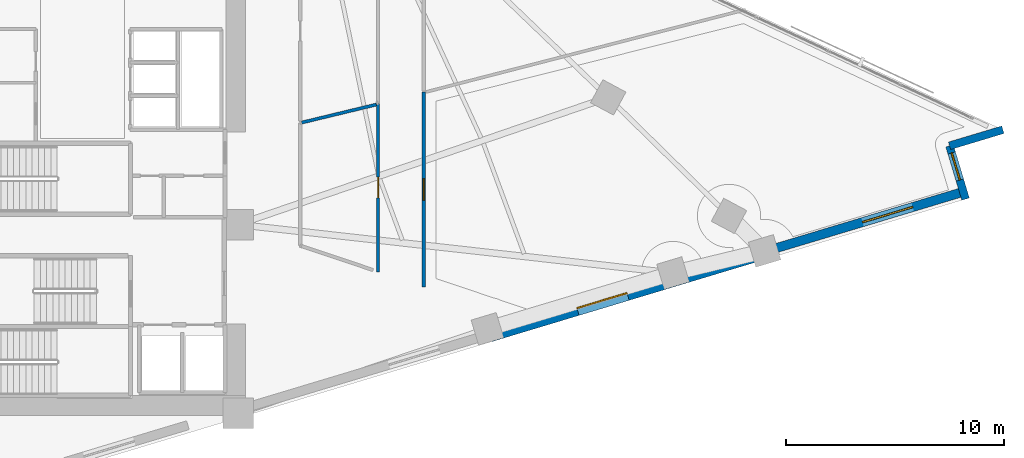
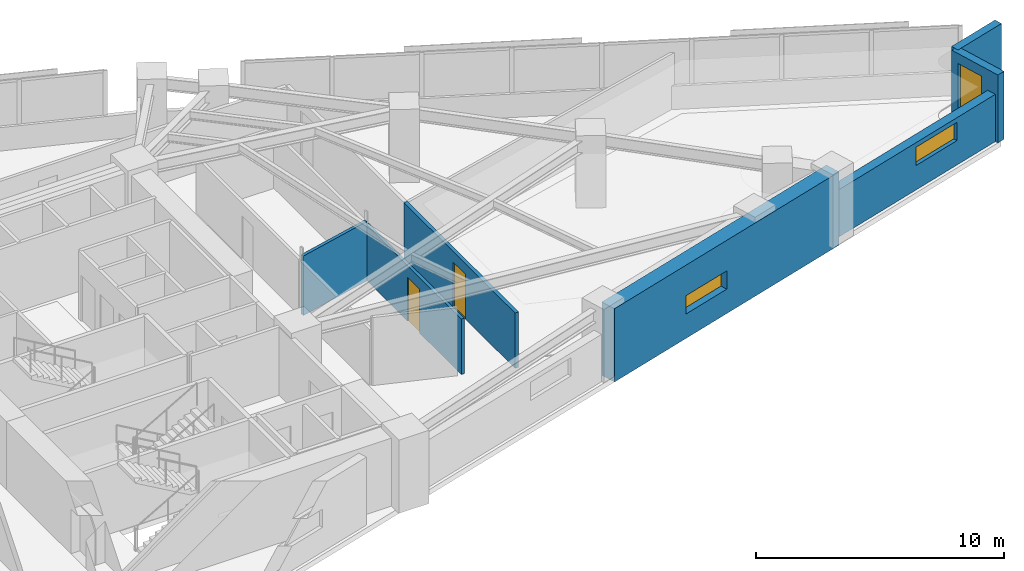
# One storey, part 12 of 16: 7 walls, 3 windows, 2 doors, 5 openings.
"""IFC4 building model written with IfcOpenShell, lengths in metres."""

from ifc_helpers import new_model, si_unit, direction, frame, frame_2d, origin, place, context, subcontext, project, spatial, rectangle, extrude, material, layer, layer_set, type_object, element, fill, save


model = new_model("IFC4")

# Units and contexts
model_context = context("Model", 3, precision=1e-05, world=origin(), true_north=direction((0.0, 1.0)))
body_context = subcontext(model_context, "Body", "Model", "MODEL_VIEW")
ifc_project = project(units=[si_unit("LENGTHUNIT", "METRE"), si_unit("AREAUNIT", "SQUARE_METRE"), si_unit("VOLUMEUNIT", "CUBIC_METRE"), si_unit("PLANEANGLEUNIT", "RADIAN"), si_unit("MASSUNIT", "GRAM", prefix="KILO")], contexts=[model_context])

# Site, building, storey
site_placement = place(None, origin())
site = spatial("IfcSite", under=ifc_project, at=site_placement, CompositionType="ELEMENT")
building_placement = place(site_placement, origin())
building = spatial("IfcBuilding", under=site, at=building_placement, Name="Narakoshi Arena Tower", CompositionType="ELEMENT")
storey_placement = place(building_placement, frame((0.0, 0.0, 150.300048828125)))
storey = spatial("IfcBuildingStorey", under=building, at=storey_placement, Name="L40", CompositionType="ELEMENT", Elevation=150.300048828125)

# Wall, opening, door
ifc_material_1 = material(Name="Gypsum plasterboard fire-rated partition")
ifc_layer_1 = layer(ifc_material_1, 0.1650390625)
ifc_layer_set_1 = layer_set([ifc_layer_1], Name="Gypsum plasterboard fire-rated partition")
wall_type_1 = type_object("IfcWallType", Name="WL-CORR-165", PredefinedType="PARTITIONING", material=ifc_layer_set_1)
wall_1_placement = place(storey_placement, frame((94.07373046875, 40.479248046875, 0.0), z_axis=(0.0, 0.0, 1.0), x_axis=(0.0, 1.0, 0.0)))
wall_1 = element("IfcWall", 1, at=wall_1_placement, inside=storey, type_object=wall_type_1, Name="L40 Corridor Partition 03-1", PredefinedType="PARTITIONING", context=body_context, shape_type="SweptSolid", body=[
    extrude(rectangle(XDim=8.958984375, YDim=0.1650390625, at=frame_2d((4.4794921875, 0.0))), origin(), (0.0, 0.0, 1.0), 2.724853515625),
])
opening_1_placement = place(wall_1_placement, frame((3.9794921875, 0.0, 0.0)))
opening_1 = element("IfcOpeningElement", 2, at=opening_1_placement, cuts=wall_1, Name="Opening D-06", PredefinedType="OPENING", context=body_context, shape_type="SweptSolid", body=[
    extrude(rectangle(XDim=1.0, YDim=2.199951171875, at=frame_2d((0.5, 1.10009765625))), frame((0.0, 0.092529296875, 0.0), z_axis=(0.0, -1.0, 0.0), x_axis=(1.0, 0.0, 0.0)), (0.0, 0.0, 1.0), 0.18505859375),
])
ifc_material_2 = material(Name="Stained oak solid-core timber", Category="wood")
door_type_1 = type_object("IfcDoorType", Name="DR-OFF-1000", OperationType="NOTDEFINED", PredefinedType="DOOR", material=ifc_material_2)
door_1_placement = place(opening_1_placement, frame((1.0, 0.0, 0.0), z_axis=(0.0, 0.0, 1.0), x_axis=(-1.0, 0.0, 0.0)))
door_1 = element("IfcDoor", 3, at=door_1_placement, inside=storey, type_object=door_type_1, Name="DR-L40-017", OperationType="SINGLE_SWING_RIGHT", OverallHeight=2.199951171875, OverallWidth=1.0, PredefinedType="DOOR", context=body_context, shape_type="SweptSolid", body=[
    extrude(rectangle(XDim=1.0, YDim=2.199951171875, at=frame_2d((0.5, 1.10009765625))), frame((0.0, 0.02490234375, 0.0), z_axis=(0.0, -1.0, 0.0), x_axis=(1.0, 0.0, 0.0)), (0.0, 0.0, 1.0), 0.050048828125),
])
fill(opening_1, door_1)

# Wall, opening, window
ifc_material_3 = material(Name="Concrete C60/75", Category="concrete")
ifc_layer_2 = layer(ifc_material_3, 0.699951171875)
ifc_layer_set_2 = layer_set([ifc_layer_2], Name="Concrete C60/75")
wall_type_2 = type_object("IfcWallType", Name="WL-LEG-700", PredefinedType="SHEAR", material=ifc_layer_set_2)
wall_2_placement = place(storey_placement, frame((97.062255859375, 38.306640625, -0.260009765625), z_axis=(0.0, 0.0, 1.0), x_axis=(0.957569832102, 0.288201347408, 0.0)))
wall_2 = element("IfcWall", 4, at=wall_2_placement, inside=storey, type_object=wall_type_2, Name="L40 Architectural Concrete Structural Wall LEGA-3", PredefinedType="SHEAR", context=body_context, shape_type="SweptSolid", body=[
    extrude(rectangle(XDim=13.198974609375, YDim=0.699951171875, at=frame_2d((6.599609375, 0.0))), origin(), (0.0, 0.0, 1.0), 3.599853515625),
])
opening_2_placement = place(wall_2_placement, frame((4.201171875, 0.0, 1.199951171875)))
opening_2 = element("IfcOpeningElement", 5, at=opening_2_placement, cuts=wall_2, Name="Opening WN-01", PredefinedType="OPENING", context=body_context, shape_type="SweptSolid", body=[
    extrude(rectangle(XDim=2.39990234375, YDim=0.89990234375, at=frame_2d((1.199951171875, 0.449951171875))), frame((0.0, 0.35986328125, 0.0), z_axis=(0.0, -1.0, 0.0), x_axis=(1.0, 0.0, 0.0)), (0.0, 0.0, 1.0), 0.719970703125),
])
ifc_material_4 = material(Name="Bronze-tinted low-E laminated glass", Category="glass")
window_type_1 = type_object("IfcWindowType", Name="WIN-SLT-24x09", PartitioningType="SINGLE_PANEL", PredefinedType="WINDOW", material=ifc_material_4)
window_1_placement = place(opening_2_placement, origin())
window_1 = element("IfcWindow", 6, at=window_1_placement, inside=storey, type_object=window_type_1, Name="L40 LEGA3 Horizontal Slot Window 1", OverallHeight=0.89990234375, OverallWidth=2.39990234375, PartitioningType="SINGLE_PANEL", PredefinedType="WINDOW", context=body_context, shape_type="SweptSolid", body=[
    extrude(rectangle(XDim=2.39990234375, YDim=0.89990234375, at=frame_2d((1.199951171875, 0.449951171875))), frame((0.0, 0.030029296875, 0.0), z_axis=(0.0, -1.0, 0.0), x_axis=(1.0, 0.0, 0.0)), (0.0, 0.0, 1.0), 0.06005859375),
])
fill(opening_2, window_1)

ifc_material_5 = material(Name="Precast concrete C45/55", Category="concrete")
ifc_layer_3 = layer(ifc_material_5, 0.419921875)
ifc_layer_set_3 = layer_set([ifc_layer_3], Name="Precast concrete C45/55")
wall_type_3 = type_object("IfcWallType", Name="WL-POD-420", PredefinedType="SOLIDWALL", material=ifc_layer_set_3)
wall_3_placement = place(storey_placement, frame((109.701171875, 42.110595703125, 0.0), z_axis=(0.0, 0.0, 1.0), x_axis=(0.957575807765, 0.288181492091, 0.0)))
wall_3 = element("IfcWall", 7, at=wall_3_placement, inside=storey, type_object=wall_type_3, Name="L40 Architectural Concrete Facade Wall LEGA-4", PredefinedType="SOLIDWALL", context=body_context, shape_type="SweptSolid", body=[
    extrude(rectangle(XDim=9.510498046875, YDim=0.419921875, at=frame_2d((4.75537109375, 0.0))), origin(), (0.0, 0.0, 1.0), 2.324951171875),
])
opening_3_placement = place(wall_3_placement, frame((4.679443359375, 0.0, 1.199951171875)))
opening_3 = element("IfcOpeningElement", 8, at=opening_3_placement, cuts=wall_3, Name="Opening WN-01", PredefinedType="OPENING", context=body_context, shape_type="SweptSolid", body=[
    extrude(rectangle(XDim=2.39990234375, YDim=0.89990234375, at=frame_2d((1.199951171875, 0.449951171875))), frame((0.0, 0.219970703125, 0.0), z_axis=(0.0, -1.0, 0.0), x_axis=(1.0, 0.0, 0.0)), (0.0, 0.0, 1.0), 0.43994140625),
])
window_2_placement = place(opening_3_placement, origin())
window_2 = element("IfcWindow", 9, at=window_2_placement, inside=storey, type_object=window_type_1, Name="L40 LEGA4 Horizontal Slot Window 1", OverallHeight=0.89990234375, OverallWidth=2.39990234375, PartitioningType="SINGLE_PANEL", PredefinedType="WINDOW", context=body_context, shape_type="SweptSolid", body=[
    extrude(rectangle(XDim=2.39990234375, YDim=0.89990234375, at=frame_2d((1.199951171875, 0.449951171875))), frame((0.0, 0.030029296875, 0.0), z_axis=(0.0, -1.0, 0.0), x_axis=(1.0, 0.0, 0.0)), (0.0, 0.0, 1.0), 0.06005859375),
])
fill(opening_3, window_2)

wall_4_placement = place(storey_placement, frame((118.908935546875, 44.51611328125, 0.0), z_axis=(0.0, 0.0, 1.0), x_axis=(-0.288172590882, 0.95757848653, 0.0)))
wall_4 = element("IfcWall", 10, at=wall_4_placement, inside=storey, type_object=wall_type_3, Name="L40 Re-Entrant Corner Notch Wall NTE-1", PredefinedType="SOLIDWALL", context=body_context, shape_type="SweptSolid", body=[
    extrude(rectangle(XDim=2.552734375, YDim=0.360107421875, at=frame_2d((1.2763671875, 0.0))), origin(), (0.0, 0.0, 1.0), 3.33984375),
])
opening_4_placement = place(wall_4_placement, frame((0.91259765625, 0.0, 0.449951171875)))
opening_4 = element("IfcOpeningElement", 11, at=opening_4_placement, cuts=wall_4, Name="Opening WN-06", PredefinedType="OPENING", context=body_context, shape_type="SweptSolid", body=[
    extrude(rectangle(XDim=1.300048828125, YDim=2.39990234375, at=frame_2d((0.64990234375, 1.199951171875))), frame((0.0, 0.18994140625, 0.0), z_axis=(0.0, -1.0, 0.0), x_axis=(1.0, 0.0, 0.0)), (0.0, 0.0, 1.0), 0.380126953125),
])
window_type_2 = type_object("IfcWindowType", Name="WIN-NTC-16x24", PartitioningType="SINGLE_PANEL", PredefinedType="WINDOW", material=ifc_material_4)
window_3_placement = place(opening_4_placement, origin())
window_3 = element("IfcWindow", 12, at=window_3_placement, inside=storey, type_object=window_type_2, Name="L40 Corner Notch Window NTE", OverallHeight=2.39990234375, OverallWidth=1.300048828125, PartitioningType="SINGLE_PANEL", PredefinedType="WINDOW", context=body_context, shape_type="SweptSolid", body=[
    extrude(rectangle(XDim=1.300048828125, YDim=2.39990234375, at=frame_2d((0.64990234375, 1.199951171875))), frame((0.0, 0.030029296875, 0.0), z_axis=(0.0, -1.0, 0.0), x_axis=(1.0, 0.0, 0.0)), (0.0, 0.0, 1.0), 0.06005859375),
])
fill(opening_4, window_3)

# Wall
wall_5_placement = place(storey_placement, frame((118.17333984375, 46.96044921875, 0.0), z_axis=(0.0, 0.0, 1.0), x_axis=(0.95757848653, 0.288172590882, 0.0)))
element("IfcWall", 13, at=wall_5_placement, inside=storey, type_object=wall_type_3, Name="L40 Re-Entrant Corner Notch Wall NTE-2", PredefinedType="SOLIDWALL", context=body_context, shape_type="SweptSolid", body=[
    extrude(rectangle(XDim=2.552734375, YDim=0.360107421875, at=frame_2d((1.2763671875, 0.0))), origin(), (0.0, 0.0, 1.0), 3.33984375),
])

# Wall, opening, door
ifc_material_6 = material(Name="Moisture-resistant cement-board partition")
ifc_layer_4 = layer(ifc_material_6, 0.14501953125)
ifc_layer_set_4 = layer_set([ifc_layer_4], Name="Moisture-resistant cement-board partition")
wall_type_4 = type_object("IfcWallType", Name="WL-WET-145", PredefinedType="PARTITIONING", material=ifc_layer_set_4)
wall_6_placement = place(storey_placement, frame((91.9736328125, 48.908935546875, 0.0), z_axis=(0.0, 0.0, 1.0), x_axis=(0.0, -1.0, 0.0)))
wall_6 = element("IfcWall", 14, at=wall_6_placement, inside=storey, type_object=wall_type_4, Name="L40 Corridor Partition 02-1", PredefinedType="PARTITIONING", context=body_context, shape_type="SweptSolid", body=[
    extrude(rectangle(XDim=7.723876953125, YDim=0.14501953125, at=frame_2d((3.86181640625, 0.0))), origin(), (0.0, 0.0, 1.0), 2.724853515625),
])
opening_5_placement = place(wall_6_placement, frame((3.386962890625, 0.0, 0.0)))
opening_5 = element("IfcOpeningElement", 15, at=opening_5_placement, cuts=wall_6, Name="Opening D-07", PredefinedType="OPENING", context=body_context, shape_type="SweptSolid", body=[
    extrude(rectangle(XDim=0.949951171875, YDim=2.14990234375, at=frame_2d((0.47509765625, 1.074951171875))), frame((0.0, 0.08251953125, 0.0), z_axis=(0.0, -1.0, 0.0), x_axis=(1.0, 0.0, 0.0)), (0.0, 0.0, 1.0), 0.1650390625),
])
door_type_2 = type_object("IfcDoorType", Name="DR-ACC-950", OperationType="NOTDEFINED", PredefinedType="DOOR", material=ifc_material_2)
door_2_placement = place(opening_5_placement, frame((0.949951171875, 0.0, 0.0), z_axis=(0.0, 0.0, 1.0), x_axis=(-1.0, 0.0, 0.0)))
door_2 = element("IfcDoor", 16, at=door_2_placement, inside=storey, type_object=door_type_2, Name="DR-L40-016", OperationType="SINGLE_SWING_RIGHT", OverallHeight=2.14990234375, OverallWidth=0.949951171875, PredefinedType="DOOR", context=body_context, shape_type="SweptSolid", body=[
    extrude(rectangle(XDim=0.949951171875, YDim=2.14990234375, at=frame_2d((0.47509765625, 1.074951171875))), frame((0.0, 0.02490234375, 0.0), z_axis=(0.0, -1.0, 0.0), x_axis=(1.0, 0.0, 0.0)), (0.0, 0.0, 1.0), 0.050048828125),
])
fill(opening_5, door_2)

# Wall
wall_7_placement = place(storey_placement, frame((88.460205078125, 48.0224609375, 0.0), z_axis=(0.0, 0.0, 1.0), x_axis=(0.972005952345, 0.234956227, 0.0)))
element("IfcWall", 17, at=wall_7_placement, inside=storey, type_object=wall_type_4, Name="L40 Inter-Room Partition 02-05", PredefinedType="PARTITIONING", context=body_context, shape_type="SweptSolid", body=[
    extrude(rectangle(XDim=3.527587890625, YDim=0.14501953125, at=frame_2d((1.763671875, 0.0))), origin(), (0.0, 0.0, 1.0), 2.925048828125),
])

save(model, "model.ifc")
